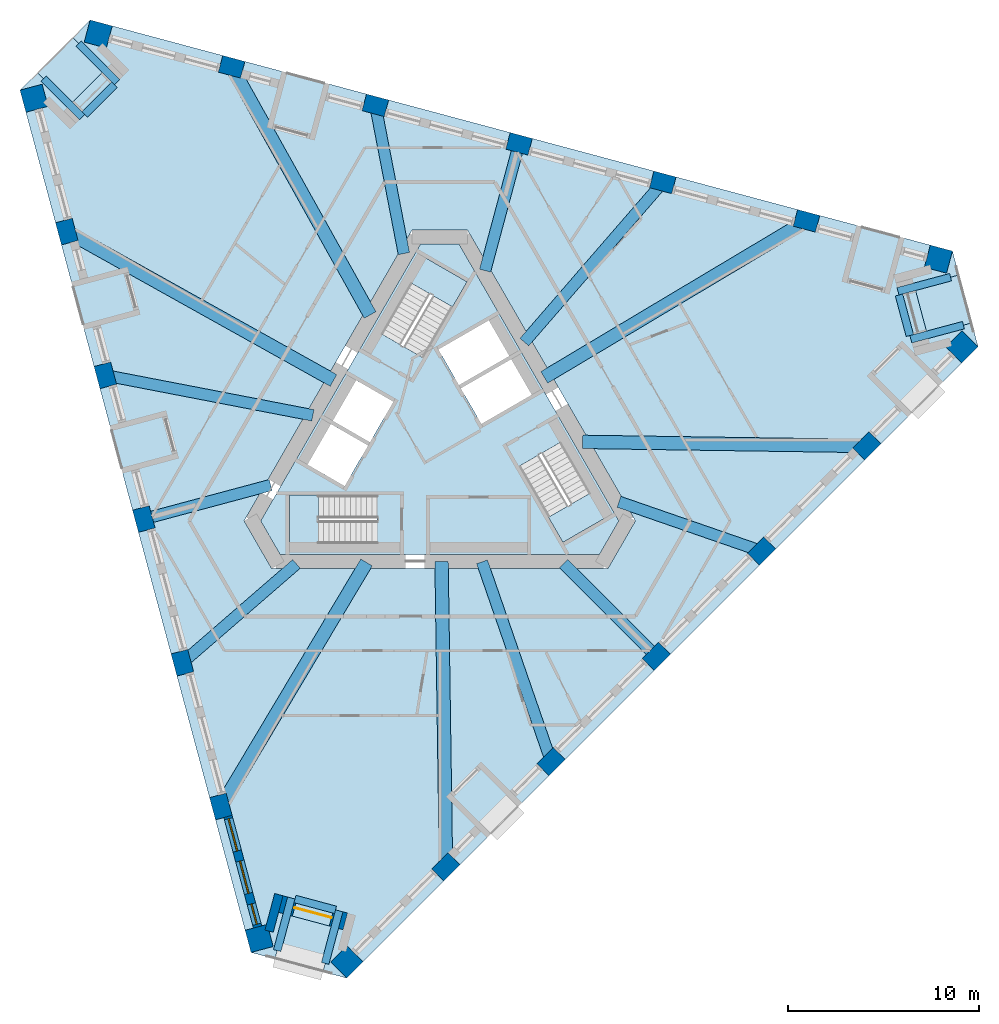
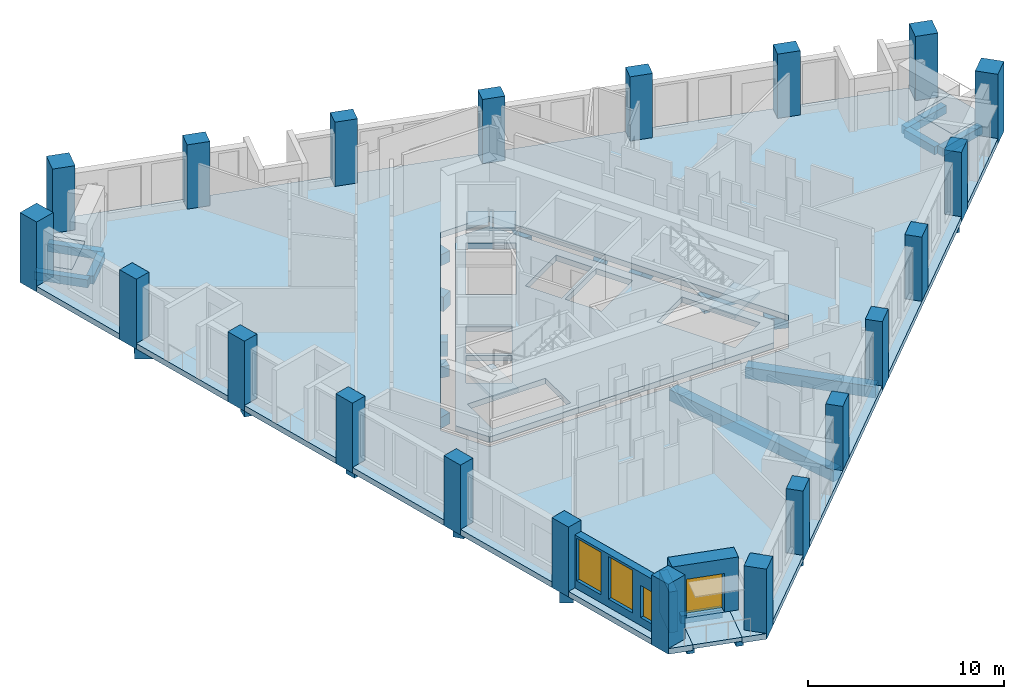
# One storey, part 1 of 13: 24 beams, 21 columns, 8 slabs, 3 walls, 3 windows, 1 door, 4 openings, 3 elements without a shape of their own.
"""IFC4 building model written with IfcOpenShell, lengths in metres."""

from ifc_helpers import new_model, si_unit, direction, frame, frame_2d, origin, origin_2d, place, context, subcontext, project, spatial, polyline, rectangle, outline, extrude, material, layer, layer_set, material_profile, profile_set, type_object, element, fill, aggregate, save


model = new_model("IFC4")

# Units and contexts
model_context = context("Model", 3, precision=1e-05, world=origin(), true_north=direction((0.0, 1.0)))
body_context = subcontext(model_context, "Body", "Model", "MODEL_VIEW")
ifc_project = project(units=[si_unit("LENGTHUNIT", "METRE"), si_unit("AREAUNIT", "SQUARE_METRE"), si_unit("VOLUMEUNIT", "CUBIC_METRE"), si_unit("PLANEANGLEUNIT", "RADIAN"), si_unit("MASSUNIT", "GRAM", prefix="KILO")], contexts=[model_context])

# Site, building, storey
site_placement = place(None, origin())
site = spatial("IfcSite", under=ifc_project, at=site_placement, CompositionType="ELEMENT")
building_placement = place(site_placement, origin())
building = spatial("IfcBuilding", under=site, at=building_placement, Name="Tramontana Tower", CompositionType="ELEMENT")
storey_placement = place(building_placement, frame((0.0, 0.0, 200.0)))
storey = spatial("IfcBuildingStorey", under=building, at=storey_placement, Name="L46", CompositionType="ELEMENT", Elevation=200.0)

# Columns
ifc_material_1 = material(Name="Concrete 55 MPa", Category="concrete")
ifc_material_profile_1 = material_profile(ifc_material_1, rectangle(XDim=1.199951171875, YDim=1.199951171875, at=origin_2d()), Name="Mega column 1200X1200 55 MPa")
ifc_profile_set_1 = profile_set([ifc_material_profile_1], Name="Concrete 55 MPa")
column_type_1 = type_object("IfcColumnType", Name="Mega column 1200X1200 55 MPa", PredefinedType="COLUMN", material=ifc_profile_set_1)
for number, where, z_axis, x_axis, name in (
    (1, (-21.2548828125, 17.89111328125, -0.35009765625), (0.0, 0.0, 1.0), (0.258819045103, -0.965925826289, 0.0), "Mega column C5K1 L46"),
    (2, (-9.461669921875, -26.12158203125, -0.35009765625), (0.0, 0.0, 1.0), (0.258819045103, -0.965925826289, 0.0), "Mega column C5K2 L46"),
    (3, (-4.86669921875, -27.352783203125, -0.35009765625), (0.0, 0.0, 1.0), (0.707106781187, 0.707106781187, 0.0), "Mega column C5K3 L46"),
    (4, (27.352783203125, 4.86669921875, -0.35009765625), (0.0, 0.0, 1.0), (0.707106781187, 0.707106781187, 0.0), "Mega column C5K4 L46"),
    (5, (26.12158203125, 9.461669921875, -0.35009765625), (0.0, 0.0, 1.0), (-0.965925826289, 0.258819045103, 0.0), "Mega column C5K5 L46"),
    (6, (-17.89111328125, 21.2548828125, -0.35009765625), (0.0, 0.0, 1.0), (-0.965925826289, 0.258819045103, 0.0), "Mega column C5K6 L46"),
):
    element("IfcColumn", number, at=place(storey_placement, frame(where, z_axis=z_axis, x_axis=x_axis)), inside=storey, type_object=column_type_1, Name=name, PredefinedType="COLUMN", context=body_context, shape_type="SweptSolid", body=[
        extrude(rectangle(XDim=1.199951171875, YDim=1.199951171875, at=origin_2d()), origin(), (0.0, 0.0, 1.0), 4.35009765625),
    ])
ifc_material_2 = material(Name="Concrete 55 MPa", Category="concrete")
ifc_material_profile_2 = material_profile(ifc_material_2, rectangle(XDim=1.199951171875, YDim=0.89990234375, at=origin_2d()), Name="Pier column 1200X900 55 MPa")
ifc_profile_set_2 = profile_set([ifc_material_profile_2], Name="Concrete 55 MPa")
column_type_2 = type_object("IfcColumnType", Name="Pier column 1200X900 55 MPa", PredefinedType="COLUMN", material=ifc_profile_set_2)
for number, where, z_axis, x_axis, name in (
    (7, (-19.53759765625, 10.9033203125, -0.35009765625), (0.0, 0.0, 1.0), (0.258819045103, -0.965925826289, 0.0), "Pier column C5F01 L46"),
    (8, (-17.5205078125, 3.37451171875, -0.35009765625), (0.0, 0.0, 1.0), (0.258819045103, -0.965925826289, 0.0), "Pier column C5F02 L46"),
    (9, (-15.503173828125, -4.154052734375, -0.35009765625), (0.0, 0.0, 1.0), (0.258819045103, -0.965925826289, 0.0), "Pier column C5F03 L46"),
    (10, (-13.48583984375, -11.6826171875, -0.35009765625), (0.0, 0.0, 1.0), (0.258819045103, -0.965925826289, 0.0), "Pier column C5F04 L46"),
    (11, (-11.468505859375, -19.21142578125, -0.35009765625), (0.0, 0.0, 1.0), (0.258819045103, -0.965925826289, 0.0), "Pier column C5F05 L46"),
    (12, (0.326416015625, -22.371826171875, -0.35009765625), (0.0, 0.0, 1.0), (0.707106781187, 0.707106781187, 0.0), "Pier column C5F06 L46"),
    (13, (5.837646484375, -16.8603515625, -0.35009765625), (0.0, 0.0, 1.0), (0.707106781187, 0.707106781187, 0.0), "Pier column C5F07 L46"),
    (14, (11.34912109375, -11.34912109375, -0.35009765625), (0.0, 0.0, 1.0), (0.707106781187, 0.707106781187, 0.0), "Pier column C5F08 L46"),
    (15, (16.8603515625, -5.837646484375, -0.35009765625), (0.0, 0.0, 1.0), (0.707106781187, 0.707106781187, 0.0), "Pier column C5F09 L46"),
    (16, (22.371826171875, -0.326416015625, -0.35009765625), (0.0, 0.0, 1.0), (0.707106781187, 0.707106781187, 0.0), "Pier column C5F10 L46"),
    (17, (19.21142578125, 11.468505859375, -0.35009765625), (0.0, 0.0, 1.0), (-0.965925826289, 0.258819045103, 0.0), "Pier column C5F11 L46"),
    (18, (11.6826171875, 13.48583984375, -0.35009765625), (0.0, 0.0, 1.0), (-0.965925826289, 0.258819045103, 0.0), "Pier column C5F12 L46"),
    (19, (4.154052734375, 15.503173828125, -0.35009765625), (0.0, 0.0, 1.0), (-0.965925826289, 0.258819045103, 0.0), "Pier column C5F13 L46"),
    (20, (-3.37451171875, 17.5205078125, -0.35009765625), (0.0, 0.0, 1.0), (-0.965925826289, 0.258819045103, 0.0), "Pier column C5F14 L46"),
    (21, (-10.9033203125, 19.53759765625, -0.35009765625), (0.0, 0.0, 1.0), (-0.965925826289, 0.258819045103, 0.0), "Pier column C5F15 L46"),
):
    element("IfcColumn", number, at=place(storey_placement, frame(where, z_axis=z_axis, x_axis=x_axis)), inside=storey, type_object=column_type_2, Name=name, PredefinedType="COLUMN", context=body_context, shape_type="SweptSolid", body=[
        extrude(rectangle(XDim=1.199951171875, YDim=0.89990234375, at=origin_2d()), origin(), (0.0, 0.0, 1.0), 4.35009765625),
    ])

# Beams
ifc_material_3 = material(Name="Concrete 40 MPa", Category="concrete")
ifc_material_profile_3 = material_profile(ifc_material_3, rectangle(XDim=0.60009765625, YDim=0.699951171875, at=origin_2d()), Name="RC GIRDER 600X700 40 MPa")
ifc_profile_set_3 = profile_set([ifc_material_profile_3], Name="Concrete 40 MPa")
beam_type_1 = type_object("IfcBeamType", Name="RC GIRDER 600X700 40 MPa", PredefinedType="BEAM", material=ifc_profile_set_3)
beam_1_placement = place(storey_placement, frame((-17.5205078125, 3.37451171875, -0.699951171875), z_axis=(0.981952314937, -0.189128663056, 0.0), x_axis=(0.189128663056, 0.981952314937, 0.0)))
element("IfcBeam", 22, at=beam_1_placement, inside=storey, type_object=beam_type_1, Name="Radial girder C5F02 L46", PredefinedType="BEAM", context=body_context, shape_type="SweptSolid", body=[
    extrude(rectangle(XDim=0.60009765625, YDim=0.699951171875, at=origin_2d()), origin(), (0.0, 0.0, 1.0), 11.074462890625),
])
beam_2_placement = place(storey_placement, frame((-15.503173828125, -4.154052734375, -0.699951171875), z_axis=(0.96592381373, 0.258826555959, 0.0), x_axis=(-0.258826555959, 0.96592381373, 0.0)))
element("IfcBeam", 23, at=beam_2_placement, inside=storey, type_object=beam_type_1, Name="Radial girder C5F03 L46", PredefinedType="BEAM", context=body_context, shape_type="SweptSolid", body=[
    extrude(rectangle(XDim=0.60009765625, YDim=0.699951171875, at=origin_2d()), origin(), (0.0, 0.0, 1.0), 6.879150390625),
])
beam_3_placement = place(storey_placement, frame((-13.48583984375, -11.6826171875, -0.699951171875), z_axis=(0.755833701345, 0.654763633619, 0.0), x_axis=(-0.654763633619, 0.755833701345, 0.0)))
element("IfcBeam", 24, at=beam_3_placement, inside=storey, type_object=beam_type_1, Name="Radial girder C5F04 L46", PredefinedType="BEAM", context=body_context, shape_type="SweptSolid", body=[
    extrude(rectangle(XDim=0.60009765625, YDim=0.699951171875, at=origin_2d()), origin(), (0.0, 0.0, 1.0), 7.908447265625),
])
beam_4_placement = place(storey_placement, frame((5.837646484375, -16.8603515625, -0.699951171875), z_axis=(-0.327178709265, 0.944962481903, 0.0), x_axis=(-0.944962481903, -0.327178709265, 0.0)))
element("IfcBeam", 25, at=beam_4_placement, inside=storey, type_object=beam_type_1, Name="Radial girder C5F07 L46", PredefinedType="BEAM", context=body_context, shape_type="SweptSolid", body=[
    extrude(rectangle(XDim=0.60009765625, YDim=0.699951171875, at=origin_2d()), origin(), (0.0, 0.0, 1.0), 11.074462890625),
])
beam_5_placement = place(storey_placement, frame((11.34912109375, -11.34912109375, -0.699951171875), z_axis=(-0.707106781187, 0.707106781187, 0.0), x_axis=(-0.707106781187, -0.707106781187, 0.0)))
element("IfcBeam", 26, at=beam_5_placement, inside=storey, type_object=beam_type_1, Name="Radial girder C5F08 L46", PredefinedType="BEAM", context=body_context, shape_type="SweptSolid", body=[
    extrude(rectangle(XDim=0.60009765625, YDim=0.699951171875, at=origin_2d()), origin(), (0.0, 0.0, 1.0), 6.879150390625),
])
beam_6_placement = place(storey_placement, frame((16.8603515625, -5.837646484375, -0.699951171875), z_axis=(-0.944964783829, 0.327172060732, 0.0), x_axis=(-0.327172060732, -0.944964783829, 0.0)))
element("IfcBeam", 27, at=beam_6_placement, inside=storey, type_object=beam_type_1, Name="Radial girder C5F09 L46", PredefinedType="BEAM", context=body_context, shape_type="SweptSolid", body=[
    extrude(rectangle(XDim=0.60009765625, YDim=0.699951171875, at=origin_2d()), origin(), (0.0, 0.0, 1.0), 7.908447265625),
])
beam_7_placement = place(storey_placement, frame((11.6826171875, 13.48583984375, -0.699951171875), z_axis=(-0.654758463957, -0.755838179689, 0.0), x_axis=(0.755838179689, -0.654758463957, 0.0)))
element("IfcBeam", 28, at=beam_7_placement, inside=storey, type_object=beam_type_1, Name="Radial girder C5F12 L46", PredefinedType="BEAM", context=body_context, shape_type="SweptSolid", body=[
    extrude(rectangle(XDim=0.60009765625, YDim=0.699951171875, at=origin_2d()), origin(), (0.0, 0.0, 1.0), 11.07421875),
])
beam_8_placement = place(storey_placement, frame((4.154052734375, 15.503173828125, -0.699951171875), z_axis=(-0.258826555959, -0.96592381373, 0.0), x_axis=(0.96592381373, -0.258826555959, 0.0)))
element("IfcBeam", 29, at=beam_8_placement, inside=storey, type_object=beam_type_1, Name="Radial girder C5F13 L46", PredefinedType="BEAM", context=body_context, shape_type="SweptSolid", body=[
    extrude(rectangle(XDim=0.60009765625, YDim=0.699951171875, at=origin_2d()), origin(), (0.0, 0.0, 1.0), 6.879150390625),
])
beam_9_placement = place(storey_placement, frame((-3.37451171875, 17.5205078125, -0.699951171875), z_axis=(0.189111876718, -0.981955547917, 0.0), x_axis=(0.981955547917, 0.189111876718, 0.0)))
element("IfcBeam", 30, at=beam_9_placement, inside=storey, type_object=beam_type_1, Name="Radial girder C5F14 L46", PredefinedType="BEAM", context=body_context, shape_type="SweptSolid", body=[
    extrude(rectangle(XDim=0.60009765625, YDim=0.699951171875, at=origin_2d()), origin(), (0.0, 0.0, 1.0), 7.90869140625),
])
ifc_material_4 = material(Name="Concrete 40 MPa", Category="concrete")
ifc_material_profile_4 = material_profile(ifc_material_4, rectangle(XDim=0.699951171875, YDim=0.89990234375, at=origin_2d()), Name="RC GIRDER 700X900 40 MPa")
ifc_profile_set_4 = profile_set([ifc_material_profile_4], Name="Concrete 40 MPa")
beam_type_2 = type_object("IfcBeamType", Name="RC GIRDER 700X900 40 MPa", PredefinedType="BEAM", material=ifc_profile_set_4)
beam_10_placement = place(storey_placement, frame((-19.53759765625, 10.9033203125, -0.800048828125), z_axis=(0.873222771741, -0.487321239956, 0.0), x_axis=(0.487321239956, 0.873222771741, 0.0)))
element("IfcBeam", 31, at=beam_10_placement, inside=storey, type_object=beam_type_2, Name="Radial girder C5F01 L46", PredefinedType="BEAM", context=body_context, shape_type="SweptSolid", body=[
    extrude(rectangle(XDim=0.699951171875, YDim=0.89990234375, at=origin_2d()), origin(), (0.0, 0.0, 1.0), 15.99853515625),
])
beam_11_placement = place(storey_placement, frame((-11.468505859375, -19.211181640625, -0.800048828125), z_axis=(0.512577256937, 0.858641109935, 0.0), x_axis=(-0.858641109935, 0.512577256937, 0.0)))
element("IfcBeam", 32, at=beam_11_placement, inside=storey, type_object=beam_type_2, Name="Radial girder C5F05 L46", PredefinedType="BEAM", context=body_context, shape_type="SweptSolid", body=[
    extrude(rectangle(XDim=0.699951171875, YDim=0.89990234375, at=origin_2d()), origin(), (0.0, 0.0, 1.0), 14.8876953125),
])
beam_12_placement = place(storey_placement, frame((0.326416015625, -22.371826171875, -0.800048828125), z_axis=(-0.014588743818, 0.999893578614, 0.0), x_axis=(-0.999893578614, -0.014588743818, 0.0)))
element("IfcBeam", 33, at=beam_12_placement, inside=storey, type_object=beam_type_2, Name="Radial girder C5F06 L46", PredefinedType="BEAM", context=body_context, shape_type="SweptSolid", body=[
    extrude(rectangle(XDim=0.699951171875, YDim=0.89990234375, at=origin_2d()), origin(), (0.0, 0.0, 1.0), 15.99853515625),
])
beam_13_placement = place(storey_placement, frame((22.371826171875, -0.326416015625, -0.800048828125), z_axis=(-0.999893489786, 0.01459483068, 0.0), x_axis=(-0.01459483068, -0.999893489786, 0.0)))
element("IfcBeam", 34, at=beam_13_placement, inside=storey, type_object=beam_type_2, Name="Radial girder C5F10 L46", PredefinedType="BEAM", context=body_context, shape_type="SweptSolid", body=[
    extrude(rectangle(XDim=0.699951171875, YDim=0.89990234375, at=origin_2d()), origin(), (0.0, 0.0, 1.0), 14.8876953125),
])
beam_14_placement = place(storey_placement, frame((19.211181640625, 11.468505859375, -0.800048828125), z_axis=(-0.858639355408, -0.512580196012, 0.0), x_axis=(0.512580196012, -0.858639355408, 0.0)))
element("IfcBeam", 35, at=beam_14_placement, inside=storey, type_object=beam_type_2, Name="Radial girder C5F11 L46", PredefinedType="BEAM", context=body_context, shape_type="SweptSolid", body=[
    extrude(rectangle(XDim=0.699951171875, YDim=0.89990234375, at=origin_2d()), origin(), (0.0, 0.0, 1.0), 15.998291015625),
])
beam_15_placement = place(storey_placement, frame((-10.9033203125, 19.53759765625, -0.800048828125), z_axis=(0.487317016809, -0.873225128548, 0.0), x_axis=(0.873225128548, 0.487317016809, 0.0)))
element("IfcBeam", 36, at=beam_15_placement, inside=storey, type_object=beam_type_2, Name="Radial girder C5F15 L46", PredefinedType="BEAM", context=body_context, shape_type="SweptSolid", body=[
    extrude(rectangle(XDim=0.699951171875, YDim=0.89990234375, at=origin_2d()), origin(), (0.0, 0.0, 1.0), 14.887939453125),
])
ifc_material_5 = material(Name="Concrete 40 MPa", Category="concrete")
ifc_material_profile_5 = material_profile(ifc_material_5, rectangle(XDim=0.39990234375, YDim=0.5, at=origin_2d()), Name="RC TRIM BEAM 400X500 40 MPa")
ifc_profile_set_5 = profile_set([ifc_material_profile_5], Name="Concrete 40 MPa")
beam_type_3 = type_object("IfcBeamType", Name="RC TRIM BEAM 400X500 40 MPa", PredefinedType="JOIST", material=ifc_profile_set_5)
beam_16_placement = place(storey_placement, frame((-17.041259765625, 18.596923828125, -0.60009765625), z_axis=(-0.707106781187, -0.707106781187, 0.0), x_axis=(0.707106781187, -0.707106781187, 0.0)))
element("IfcBeam", 37, at=beam_16_placement, inside=storey, type_object=beam_type_3, Name="Trimmer beam K0 L46", PredefinedType="JOIST", context=body_context, shape_type="SweptSolid", body=[
    extrude(rectangle(XDim=0.39990234375, YDim=0.5, at=origin_2d()), origin(), (0.0, 0.0, 1.0), 2.199951171875),
])
for number, where, z_axis, x_axis, name in (
    (38, (-18.9150390625, 20.753662109375, -0.60009765625), (0.707063948296, -0.707149611483, 0.0), (0.707149611483, 0.707063948296, 0.0), "Tray beam K0L L46"),
    (39, (-20.753662109375, 18.9150390625, -0.60009765625), (0.707149611483, -0.707063948296, 0.0), (0.707063948296, 0.707149611483, 0.0), "Tray beam K0R L46"),
):
    element("IfcBeam", number, at=place(storey_placement, frame(where, z_axis=z_axis, x_axis=x_axis)), inside=storey, type_object=beam_type_3, Name=name, PredefinedType="JOIST", context=body_context, shape_type="SweptSolid", body=[
        extrude(rectangle(XDim=0.39990234375, YDim=0.5, at=origin_2d()), origin(), (0.0, 0.0, 1.0), 2.85009765625),
    ])
beam_17_placement = place(storey_placement, frame((-7.584716796875, -24.056640625, -0.60009765625), z_axis=(0.965932200741, -0.258795254151, 0.0), x_axis=(0.258795254151, 0.965932200741, 0.0)))
element("IfcBeam", 40, at=beam_17_placement, inside=storey, type_object=beam_type_3, Name="Trimmer beam K1 L46", PredefinedType="JOIST", context=body_context, shape_type="SweptSolid", body=[
    extrude(rectangle(XDim=0.39990234375, YDim=0.5, at=origin_2d()), origin(), (0.0, 0.0, 1.0), 2.199951171875),
])
for number, where, z_axis, x_axis, name in (
    (41, (-8.515625, -26.7578125, -0.60009765625), (0.258867390544, 0.96591287087, 0.0), (-0.96591287087, 0.258867390544, 0.0), "Tray beam K1L L46"),
    (42, (-6.004150390625, -27.4306640625, -0.60009765625), (0.258787467275, 0.965934286989, 0.0), (-0.965934286989, 0.258787467275, 0.0), "Tray beam K1R L46"),
):
    element("IfcBeam", number, at=place(storey_placement, frame(where, z_axis=z_axis, x_axis=x_axis)), inside=storey, type_object=beam_type_3, Name=name, PredefinedType="JOIST", context=body_context, shape_type="SweptSolid", body=[
        extrude(rectangle(XDim=0.39990234375, YDim=0.5, at=origin_2d()), origin(), (0.0, 0.0, 1.0), 2.85009765625),
    ])
beam_18_placement = place(storey_placement, frame((24.6259765625, 5.459716796875, -0.60009765625), z_axis=(-0.258795254151, 0.965932200741, 0.0), x_axis=(-0.965932200741, -0.258795254151, 0.0)))
element("IfcBeam", 43, at=beam_18_placement, inside=storey, type_object=beam_type_3, Name="Trimmer beam K2 L46", PredefinedType="JOIST", context=body_context, shape_type="SweptSolid", body=[
    extrude(rectangle(XDim=0.39990234375, YDim=0.5, at=origin_2d()), origin(), (0.0, 0.0, 1.0), 2.199951171875),
])
for number, where, z_axis, x_axis, name in (
    (44, (27.4306640625, 6.004150390625, -0.60009765625), (-0.965934286989, -0.258787467275, 0.0), (0.258787467275, -0.965934286989, 0.0), "Tray beam K2L L46"),
    (45, (26.7578125, 8.515625, -0.60009765625), (-0.96591287087, -0.258867390544, 0.0), (0.258867390544, -0.96591287087, 0.0), "Tray beam K2R L46"),
):
    element("IfcBeam", number, at=place(storey_placement, frame(where, z_axis=z_axis, x_axis=x_axis)), inside=storey, type_object=beam_type_3, Name=name, PredefinedType="JOIST", context=body_context, shape_type="SweptSolid", body=[
        extrude(rectangle(XDim=0.39990234375, YDim=0.5, at=origin_2d()), origin(), (0.0, 0.0, 1.0), 2.85009765625),
    ])

# Slabs
ifc_material_6 = material(Name="Precast concrete 50 MPa", Category="concrete")
ifc_layer_1 = layer(ifc_material_6, 0.25)
ifc_layer_set_1 = layer_set([ifc_layer_1], Name="LT1 Loggia floor tray 250")
slab_type_1 = type_object("IfcSlabType", Name="LT1 Loggia floor tray 250", PredefinedType="FLOOR", material=ifc_layer_set_1)
slab_1_placement = place(storey_placement, frame((0.0, 0.0, -0.25)))
element("IfcSlab", 46, at=slab_1_placement, inside=storey, type_object=slab_type_1, Name="Corner loggia floor L46 K50", PredefinedType="FLOOR", context=body_context, shape_type="SweptSolid", body=[
    extrude(outline(polyline([(-19.2333984375, 21.07177734375), (-17.5361328125, 19.374755859375), (-19.374755859375, 17.5361328125), (-21.07177734375, 19.2333984375), (-19.2333984375, 21.07177734375)])), origin(), (0.0, 0.0, 1.0), 0.25),
])
slab_2_placement = place(storey_placement, frame((0.0, 0.0, -0.25)))
element("IfcSlab", 47, at=slab_2_placement, inside=storey, type_object=slab_type_1, Name="Corner loggia floor L46 K51", PredefinedType="FLOOR", context=body_context, shape_type="SweptSolid", body=[
    extrude(outline(polyline([(-8.632080078125, -27.1923828125), (-8.010986328125, -24.874267578125), (-5.49951171875, -25.547119140625), (-6.12060546875, -27.865234375), (-8.632080078125, -27.1923828125)])), origin(), (0.0, 0.0, 1.0), 0.25),
])
slab_3_placement = place(storey_placement, frame((0.0, 0.0, -0.25)))
element("IfcSlab", 48, at=slab_3_placement, inside=storey, type_object=slab_type_1, Name="Corner loggia floor L46 K52", PredefinedType="FLOOR", context=body_context, shape_type="SweptSolid", body=[
    extrude(outline(polyline([(27.865234375, 6.12060546875), (25.547119140625, 5.49951171875), (24.874267578125, 8.010986328125), (27.1923828125, 8.632080078125), (27.865234375, 6.12060546875)])), origin(), (0.0, 0.0, 1.0), 0.25),
])
ifc_material_7 = material(Name="Concrete 40 MPa", Category="concrete")
ifc_layer_2 = layer(ifc_material_7, 0.35009765625)
ifc_layer_set_2 = layer_set([ifc_layer_2], Name="PT FLAT SLAB 350 40 MPa")
slab_type_2 = type_object("IfcSlabType", Name="PT FLAT SLAB 350 40 MPa", PredefinedType="FLOOR", material=ifc_layer_set_2)
slab_4_placement = place(storey_placement, frame((0.0, 0.0, -0.35009765625)))
element("IfcSlab", 49, at=slab_4_placement, inside=storey, type_object=slab_type_2, Name="Floor slab L46", PredefinedType="FLOOR", context=body_context, shape_type="SweptSolid", body=[
    extrude(outline(polyline([(27.1923828125, 8.632080078125), (24.874267578125, 8.010986328125), (25.547119140625, 5.49951171875), (27.865478515625, 6.12060546875), (28.201416015625, 4.86669921875), (-4.86669921875, -28.201416015625), (-6.12060546875, -27.865478515625), (-5.49951171875, -25.547119140625), (-8.010986328125, -24.874267578125), (-8.632080078125, -27.1923828125), (-9.885986328125, -26.8564453125), (-21.98974609375, 18.3154296875), (-21.07177734375, 19.2333984375), (-19.374755859375, 17.5361328125), (-17.5361328125, 19.374755859375), (-19.2333984375, 21.07177734375), (-18.3154296875, 21.98974609375), (26.8564453125, 9.885986328125), (27.1923828125, 8.632080078125)]), holes=[polyline([(-10.248046875, -4.25), (-8.8046875, -6.75), (8.8046875, -6.75), (10.248046875, -4.25), (1.443359375, 11.0), (-1.443359375, 11.0), (-10.248046875, -4.25)])]), origin(), (0.0, 0.0, 1.0), 0.35009765625),
])
slab_5_placement = place(storey_placement, frame((0.0, 0.0, -0.35009765625)))
element("IfcSlab", 50, at=slab_5_placement, inside=storey, type_object=slab_type_2, Name="Core floor slab L46", PredefinedType="FLOOR", context=body_context, shape_type="SweptSolid", body=[
    extrude(outline(polyline([(9.3818359375, -4.25), (8.37158203125, -6.0), (-8.37158203125, -6.0), (-9.3818359375, -4.25), (-1.010498046875, 10.25), (1.010498046875, 10.25), (9.3818359375, -4.25)]), holes=[polyline([(8.659912109375, -4.099365234375), (6.35986328125, -0.115478515625), (4.151611328125, -1.390625), (6.451416015625, -5.374267578125), (8.659912109375, -4.099365234375)]), polyline([(3.829833984375, 4.2666015625), (1.101806640625, 2.69140625), (2.177001953125, 0.82958984375), (4.90478515625, 2.404541015625), (3.829833984375, 4.2666015625)]), polyline([(2.65478515625, 6.3017578125), (-0.072998046875, 4.726806640625), (1.001953125, 2.86474609375), (3.729736328125, 4.439697265625), (2.65478515625, 6.3017578125)]), polyline([(-0.77978515625, 9.54931640625), (-3.079833984375, 5.565673828125), (-0.87158203125, 4.29052734375), (1.428466796875, 8.2744140625), (-0.77978515625, 9.54931640625)]), polyline([(-5.689697265625, 1.044921875), (-3.65478515625, -0.130126953125), (-2.4296875, 1.99169921875), (-4.46484375, 3.166748046875), (-5.689697265625, 1.044921875)]), polyline([(-3.280029296875, -5.449951171875), (-3.280029296875, -2.89990234375), (-7.8798828125, -2.89990234375), (-7.8798828125, -5.449951171875), (-3.280029296875, -5.449951171875)]), polyline([(-7.014892578125, -1.25), (-4.979736328125, -2.425048828125), (-3.754638671875, -0.30322265625), (-5.789794921875, 0.87158203125), (-7.014892578125, -1.25)])]), origin(), (0.0, 0.0, 1.0), 0.35009765625),
])

# Stair, slab
ifc_material_8 = material(Name="Concrete 40 MPa", Category="concrete")
stair_type = type_object("IfcStairType", Name="EXIT STAIR 24 RISERS", PredefinedType="HALF_TURN_STAIR", material=ifc_material_8)
stair_1_placement = place(storey_placement, origin())
stair_1 = element("IfcStair", 51, at=stair_1_placement, inside=storey, type_object=stair_type, Name="L46 Exit stair ST1", PredefinedType="HALF_TURN_STAIR")
ifc_material_9 = material(Name="Concrete 40 MPa", Category="concrete")
ifc_layer_3 = layer(ifc_material_9, 0.199951171875)
ifc_layer_set_3 = layer_set([ifc_layer_3], Name="STAIR LANDING 200")
slab_type_3 = type_object("IfcSlabType", Name="STAIR LANDING 200", PredefinedType="LANDING", material=ifc_layer_set_3)
slab_6_placement = place(storey_placement, frame((0.0, 0.0, 1.800048828125)))
slab_6 = element("IfcSlab", 52, at=slab_6_placement, type_object=slab_type_3, Name="ST1 landing 1", PredefinedType="LANDING", context=body_context, shape_type="SweptSolid", body=[
    extrude(outline(polyline([(0.66845703125, 6.9580078125), (1.428466796875, 8.274169921875), (-0.77978515625, 9.54931640625), (-1.539794921875, 8.23291015625), (0.66845703125, 6.9580078125)])), origin(), (0.0, 0.0, 1.0), 0.199951171875),
])
aggregate(stair_1, [slab_6])

stair_2_placement = place(storey_placement, origin())
stair_2 = element("IfcStair", 53, at=stair_2_placement, inside=storey, type_object=stair_type, Name="L46 Exit stair ST2", PredefinedType="HALF_TURN_STAIR")
slab_7_placement = place(storey_placement, frame((0.0, 0.0, 1.800048828125)))
slab_7 = element("IfcSlab", 54, at=slab_7_placement, type_object=slab_type_3, Name="ST2 landing 1", PredefinedType="LANDING", context=body_context, shape_type="SweptSolid", body=[
    extrude(outline(polyline([(-6.360107421875, -2.89990234375), (-7.8798828125, -2.89990234375), (-7.8798828125, -5.449951171875), (-6.360107421875, -5.449951171875), (-6.360107421875, -2.89990234375)])), origin(), (0.0, 0.0, 1.0), 0.199951171875),
])
aggregate(stair_2, [slab_7])

stair_3_placement = place(storey_placement, origin())
stair_3 = element("IfcStair", 55, at=stair_3_placement, inside=storey, type_object=stair_type, Name="L46 Exit stair ST3", PredefinedType="HALF_TURN_STAIR")
slab_8_placement = place(storey_placement, frame((0.0, 0.0, 1.800048828125)))
slab_8 = element("IfcSlab", 56, at=slab_8_placement, type_object=slab_type_3, Name="ST3 landing 1", PredefinedType="LANDING", context=body_context, shape_type="SweptSolid", body=[
    extrude(outline(polyline([(5.69140625, -4.057861328125), (6.451416015625, -5.374267578125), (8.659912109375, -4.099365234375), (7.89990234375, -2.782958984375), (5.69140625, -4.057861328125)])), origin(), (0.0, 0.0, 1.0), 0.199951171875),
])
aggregate(stair_3, [slab_8])

# Wall, openings, windows
ifc_material_10 = material(Name="Precast concrete 60 MPa", Category="concrete")
ifc_layer_4 = layer(ifc_material_10, 0.449951171875)
ifc_layer_set_4 = layer_set([ifc_layer_4], Name="Precast concrete 60 MPa, 450 mm")
wall_type_1 = type_object("IfcWallType", Name="EW1 Stone-faced precast wall 450", PredefinedType="SOLIDWALL", material=ifc_layer_set_4)
wall_1_placement = place(storey_placement, frame((-11.095947265625, -19.732666015625, 0.0), z_axis=(0.0, 0.0, 1.0), x_axis=(0.258831089404, -0.965922598948, 0.0)))
wall_1 = element("IfcWall", 57, at=wall_1_placement, inside=storey, type_object=wall_type_1, Name="External wall L46 face 0 bay 6", PredefinedType="SOLIDWALL", context=body_context, shape_type="SweptSolid", body=[
    extrude(rectangle(XDim=5.994384765625, YDim=0.449951171875, at=frame_2d((2.9970703125, 0.0))), origin(), (0.0, 0.0, 1.0), 3.300048828125),
])
opening_1_placement = place(wall_1_placement, frame((0.1240234375, 0.0, 0.5)))
opening_1 = element("IfcOpeningElement", 58, at=opening_1_placement, cuts=wall_1, Name="Opening M2", PredefinedType="OPENING", context=body_context, shape_type="SweptSolid", body=[
    extrude(rectangle(XDim=1.75, YDim=2.64990234375, at=frame_2d((0.875, 1.324951171875))), frame((0.0, 0.23486328125, 0.0), z_axis=(0.0, -1.0, 0.0), x_axis=(1.0, 0.0, 0.0)), (0.0, 0.0, 1.0), 0.469970703125),
])
opening_2_placement = place(wall_1_placement, frame((2.422119140625, 0.0, 0.5)))
opening_2 = element("IfcOpeningElement", 59, at=opening_2_placement, cuts=wall_1, Name="Opening M2", PredefinedType="OPENING", context=body_context, shape_type="SweptSolid", body=[
    extrude(rectangle(XDim=1.75, YDim=2.64990234375, at=frame_2d((0.875, 1.324951171875))), frame((0.0, 0.23486328125, 0.0), z_axis=(0.0, -1.0, 0.0), x_axis=(1.0, 0.0, 0.0)), (0.0, 0.0, 1.0), 0.469970703125),
])
opening_3_placement = place(wall_1_placement, frame((4.7451171875, 0.0, 0.5)))
opening_3 = element("IfcOpeningElement", 60, at=opening_3_placement, cuts=wall_1, Name="Opening N2L", PredefinedType="OPENING", context=body_context, shape_type="SweptSolid", body=[
    extrude(rectangle(XDim=1.10009765625, YDim=2.0, at=frame_2d((0.550048828125, 1.0))), frame((0.0, 0.23486328125, 0.0), z_axis=(0.0, -1.0, 0.0), x_axis=(1.0, 0.0, 0.0)), (0.0, 0.0, 1.0), 0.469970703125),
])
ifc_material_11 = material(Name="Aluminum frame, double glazing unit", Category="aluminium")
window_type_1 = type_object("IfcWindowType", Name="M2 Window 1.75 x 2.65", PartitioningType="SINGLE_PANEL", PredefinedType="WINDOW", material=ifc_material_11)
window_1_placement = place(opening_1_placement, origin())
window_1 = element("IfcWindow", 61, at=window_1_placement, inside=storey, type_object=window_type_1, Name="Window M2 L46 face 0 module 16", OverallHeight=2.64990234375, OverallWidth=1.75, PartitioningType="SINGLE_PANEL", PredefinedType="WINDOW", context=body_context, shape_type="SweptSolid", body=[
    extrude(rectangle(XDim=1.75, YDim=2.64990234375, at=frame_2d((0.875, 1.324951171875))), frame((0.0, 0.030029296875, 0.0), z_axis=(0.0, -1.0, 0.0), x_axis=(1.0, 0.0, 0.0)), (0.0, 0.0, 1.0), 0.06005859375),
])
fill(opening_1, window_1)
window_2_placement = place(opening_2_placement, origin())
window_2 = element("IfcWindow", 62, at=window_2_placement, inside=storey, type_object=window_type_1, Name="Window M2 L46 face 0 module 17", OverallHeight=2.64990234375, OverallWidth=1.75, PartitioningType="SINGLE_PANEL", PredefinedType="WINDOW", context=body_context, shape_type="SweptSolid", body=[
    extrude(rectangle(XDim=1.75, YDim=2.64990234375, at=frame_2d((0.875, 1.324951171875))), frame((0.0, 0.030029296875, 0.0), z_axis=(0.0, -1.0, 0.0), x_axis=(1.0, 0.0, 0.0)), (0.0, 0.0, 1.0), 0.06005859375),
])
fill(opening_2, window_2)
ifc_material_12 = material(Name="Aluminum frame, double glazing unit", Category="aluminium")
window_type_2 = type_object("IfcWindowType", Name="N2L Window 1.1 x 2", PartitioningType="SINGLE_PANEL", PredefinedType="WINDOW", material=ifc_material_12)
window_3_placement = place(opening_3_placement, origin())
window_3 = element("IfcWindow", 63, at=window_3_placement, inside=storey, type_object=window_type_2, Name="Window N2L L46 face 0 module 18", OverallHeight=2.0, OverallWidth=1.10009765625, PartitioningType="SINGLE_PANEL", PredefinedType="WINDOW", context=body_context, shape_type="SweptSolid", body=[
    extrude(rectangle(XDim=1.10009765625, YDim=2.0, at=frame_2d((0.550048828125, 1.0))), frame((0.0, 0.030029296875, 0.0), z_axis=(0.0, -1.0, 0.0), x_axis=(1.0, 0.0, 0.0)), (0.0, 0.0, 1.0), 0.06005859375),
])
fill(opening_3, window_3)

# Wall
wall_2_placement = place(storey_placement, frame((-8.942138671875, -25.741943359375, 0.0), z_axis=(0.0, 0.0, 1.0), x_axis=(0.258783354109, 0.965935388955, 0.0)))
element("IfcWall", 64, at=wall_2_placement, inside=storey, type_object=wall_type_1, Name="Corner loggia side wall L46 K51r", PredefinedType="SOLIDWALL", context=body_context, shape_type="SweptSolid", body=[
    extrude(rectangle(XDim=1.979248046875, YDim=0.449951171875, at=frame_2d((0.98974609375, 0.0))), origin(), (0.0, 0.0, 1.0), 2.550048828125),
])

# Wall, opening, door
ifc_material_13 = material(Name="Precast concrete 60 MPa", Category="concrete")
ifc_layer_5 = layer(ifc_material_13, 0.89990234375)
ifc_layer_set_5 = layer_set([ifc_layer_5], Name="EW2 Stone-faced corner loggia wall 900")
wall_type_2 = type_object("IfcWallType", Name="EW2 Stone-faced corner loggia wall 900", PredefinedType="SOLIDWALL", material=ifc_layer_set_5)
wall_3_placement = place(storey_placement, frame((-4.9482421875, -25.22900390625, 0.0), z_axis=(0.0, 0.0, 1.0), x_axis=(-0.965918160473, 0.258847652622, 0.0)))
wall_3 = element("IfcWall", 65, at=wall_3_placement, inside=storey, type_object=wall_type_2, Name="Corner loggia wall L46 K51", PredefinedType="SOLIDWALL", context=body_context, shape_type="SweptSolid", body=[
    extrude(rectangle(XDim=3.500244140625, YDim=0.89990234375, at=frame_2d((1.75, 0.0))), origin(), (0.0, 0.0, 1.0), 3.300048828125),
])
opening_4_placement = place(wall_3_placement, frame((0.75, 0.0, 0.0)))
opening_4 = element("IfcOpeningElement", 66, at=opening_4_placement, cuts=wall_3, Name="Opening BD-51C", PredefinedType="OPENING", context=body_context, shape_type="SweptSolid", body=[
    extrude(rectangle(XDim=2.0, YDim=2.39990234375, at=frame_2d((1.0, 1.199951171875))), frame((0.0, 0.4599609375, 0.0), z_axis=(0.0, -1.0, 0.0), x_axis=(1.0, 0.0, 0.0)), (0.0, 0.0, 1.0), 0.919921875),
])
ifc_material_14 = material(Name="Aluminum frame, double glazing unit", Category="aluminium")
door_type = type_object("IfcDoorType", Name="BC1 Sliding door 2 x 2.4", OperationType="SLIDING_TO_LEFT", PredefinedType="DOOR", material=ifc_material_14)
door_placement = place(opening_4_placement, origin())
door = element("IfcDoor", 67, at=door_placement, inside=storey, type_object=door_type, Name="Corner loggia door L46 K51", OperationType="SLIDING_TO_LEFT", OverallHeight=2.39990234375, OverallWidth=2.0, PredefinedType="DOOR", context=body_context, shape_type="SweptSolid", body=[
    extrude(rectangle(XDim=2.0, YDim=2.39990234375, at=frame_2d((1.0, 1.199951171875))), frame((0.0, 0.02490234375, 0.0), z_axis=(0.0, -1.0, 0.0), x_axis=(1.0, 0.0, 0.0)), (0.0, 0.0, 1.0), 0.050048828125),
])
fill(opening_4, door)

save(model, "model.ifc")
